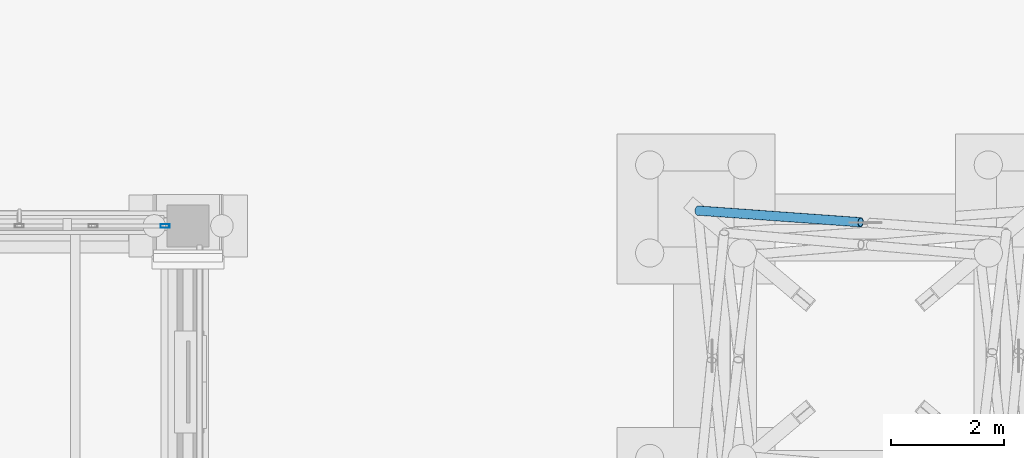
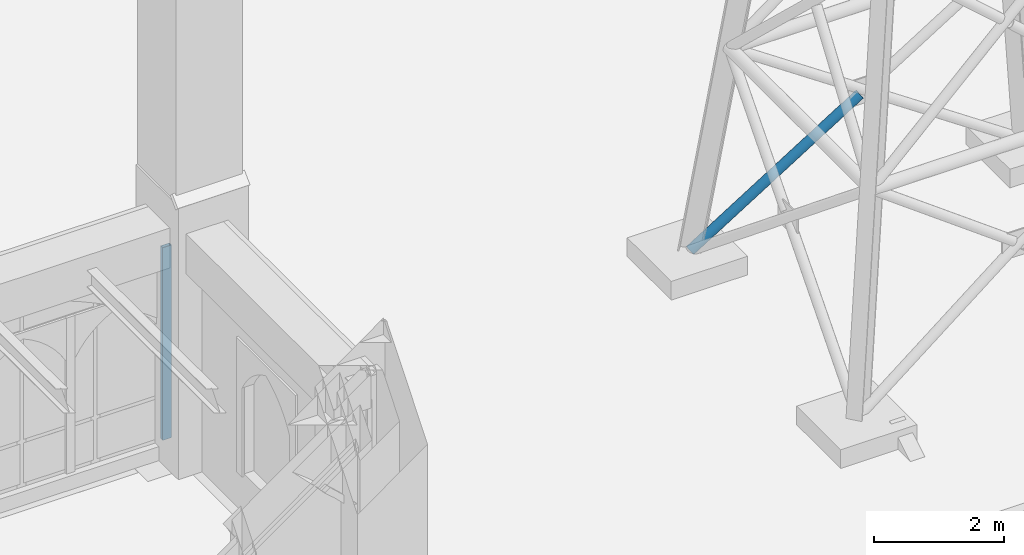
# One storey, part 39 of 135: 2 members, 1 element without a shape of its own.
"""IFC4 building model written with IfcOpenShell, lengths in metres."""

from ifc_helpers import new_model, si_unit, direction, frame, origin, origin_2d, place, context, subcontext, project, spatial, hollow_rectangle, hollow_circle, extrude, material, layer, layer_set, material_profile, profile_set, type_object, element, aggregate, save


model = new_model("IFC4")

# Units and contexts
model_context = context("Model", 3, precision=1e-05, world=origin(), true_north=direction((0.0, 1.0)))
body_context = subcontext(model_context, "Body", "Model", "MODEL_VIEW")
ifc_project = project(units=[si_unit("LENGTHUNIT", "METRE"), si_unit("AREAUNIT", "SQUARE_METRE"), si_unit("VOLUMEUNIT", "CUBIC_METRE"), si_unit("PLANEANGLEUNIT", "RADIAN"), si_unit("MASSUNIT", "GRAM", prefix="KILO")], contexts=[model_context])

# Site, building, storey
site_placement = place(None, origin())
site = spatial("IfcSite", under=ifc_project, at=site_placement, CompositionType="ELEMENT")
building_placement = place(site_placement, origin())
building = spatial("IfcBuilding", under=site, at=building_placement, Name="Cumevento Cable Car Station", CompositionType="ELEMENT")
storey_placement = place(building_placement, origin())
storey = spatial("IfcBuildingStorey", under=building, at=storey_placement, Name="L01", CompositionType="ELEMENT", Elevation=0.0)

# Curtain wall, member
ifc_material_1 = material(Name="Anodised Bronze Aluminium AW-6063-T6", Category="aluminium")
ifc_layer = layer(ifc_material_1, 0.219970703125)
ifc_layer_set = layer_set([ifc_layer], Name="Anodised Bronze Aluminium AW-6063-T6")
curtain_wall_type = type_object("IfcCurtainWallType", Name="Lancet Curtain Wall CW-11 1450", PredefinedType="NOTDEFINED", material=ifc_layer_set)
curtain_wall_placement = place(storey_placement, origin())
curtain_wall = element("IfcCurtainWall", 1, at=curtain_wall_placement, inside=storey, type_object=curtain_wall_type, Name="Lancet Curtain Wall CW-11 L01 #10", PredefinedType="NOTDEFINED")
ifc_material_2 = material(Name="Anodised Bronze Aluminium AW-6063-T6", Category="aluminium")
ifc_material_profile_1 = material_profile(ifc_material_2, hollow_rectangle(XDim=0.06494140625, YDim=0.159912109375, WallThickness=0.00390625, at=origin_2d()), Name="ALUM65x160x4")
ifc_profile_set_1 = profile_set([ifc_material_profile_1], Name="Anodised Bronze Aluminium AW-6063-T6")
member_type_1 = type_object("IfcMemberType", Name="Curtain Mullion CWM-01 ALUM65x160x4", PredefinedType="MULLION", material=ifc_profile_set_1)
member_1_placement = place(storey_placement, frame((81.592529296875, 9.5, 0.260009765625), z_axis=(0.0, 0.0, 1.0), x_axis=(0.0, 1.0, 0.0)))
member_1 = element("IfcMember", 2, at=member_1_placement, type_object=member_type_1, Name="CW-11 mullion 5", PredefinedType="MULLION", context=body_context, shape_type="SweptSolid", body=[
    extrude(hollow_rectangle(XDim=0.06494140625, YDim=0.159912109375, WallThickness=0.00390625, at=origin_2d()), origin(), (0.0, 0.0, 1.0), 3.60888671875),
])
aggregate(curtain_wall, [member_1])

# Member
ifc_material_3 = material(Name="Steel ASTM A572 Grade 50", Category="steel")
ifc_material_profile_2 = material_profile(ifc_material_3, hollow_circle(Radius=0.084228515625, WallThickness=0.010009765625, at=origin_2d()), Name="CHS168.3x10.0")
ifc_profile_set_2 = profile_set([ifc_material_profile_2], Name="Steel ASTM A572 Grade 50")
member_type_2 = type_object("IfcMemberType", Name="Framing Brace TD-02 CHS168.3x10.0", PredefinedType="BRACE", material=ifc_profile_set_2)
member_2_placement = place(storey_placement, frame((91.032470703125, 9.772705078125, 0.300048828125), z_axis=(0.814500491772, -0.058567415448, 0.577199104947), x_axis=(0.071720754431, 0.997424750738, 0.0)))
element("IfcMember", 3, at=member_2_placement, inside=storey, type_object=member_type_2, Name="PYLON_S02 Lattice X-Brace B Lower #597", PredefinedType="BRACE", context=body_context, shape_type="SweptSolid", body=[
    extrude(hollow_circle(Radius=0.084228515625, WallThickness=0.010009765625, at=origin_2d()), origin(), (0.0, 0.0, 1.0), 3.543212890625),
])

save(model, "model.ifc")
